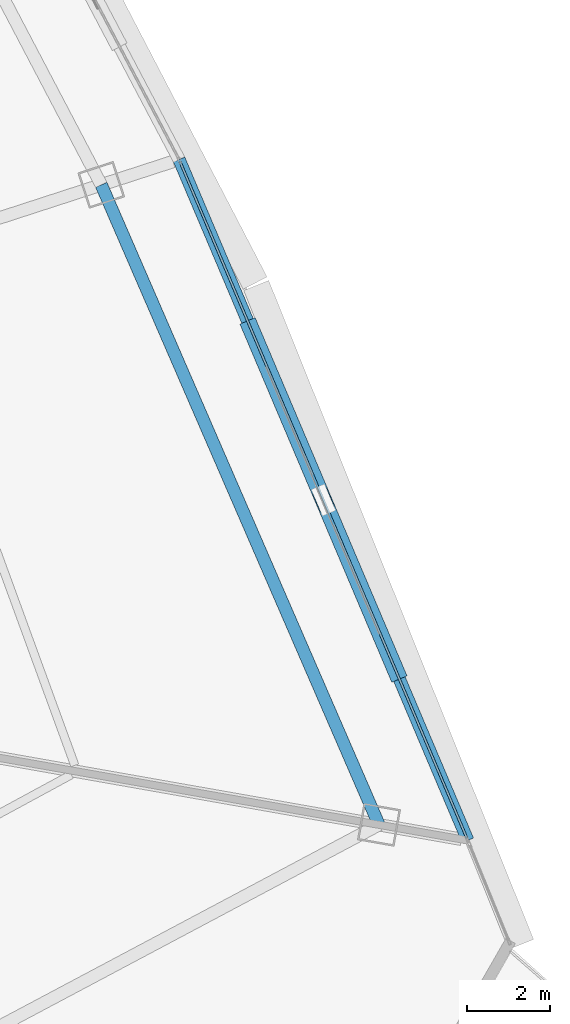
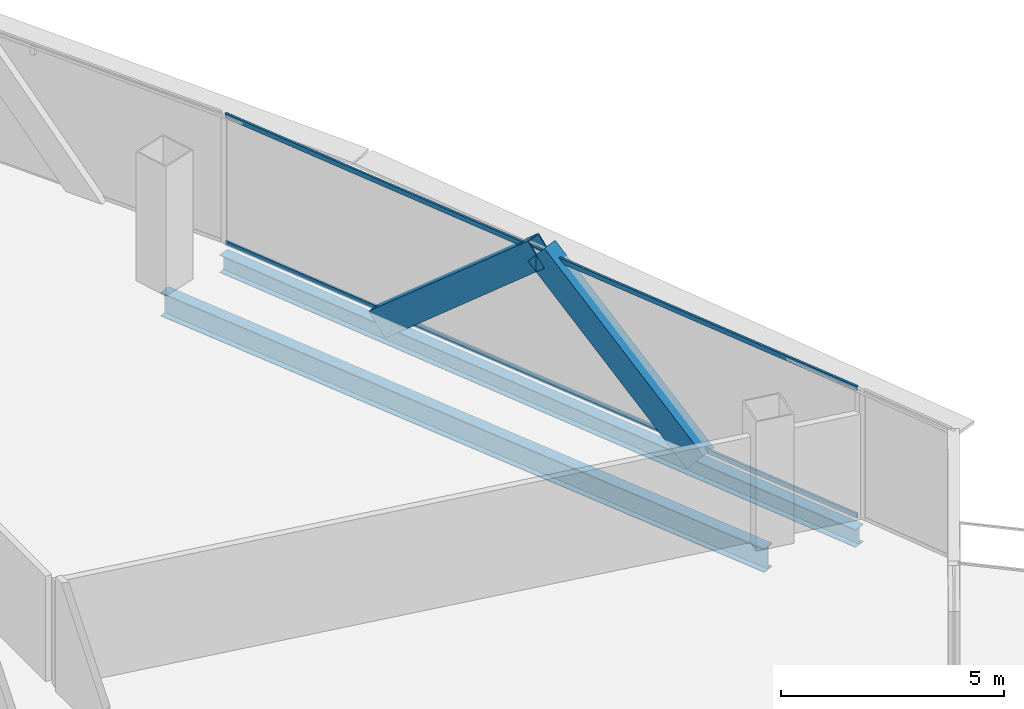
# One storey, part 25 of 37: 4 members, 2 beams, 1 element without a shape of its own.
"""IFC4 building model written with IfcOpenShell, lengths in metres."""

from ifc_helpers import new_model, si_unit, direction, frame, origin, origin_2d, place, context, subcontext, project, spatial, hollow_rectangle, i_section, extrude, source, transform, mapped, material, layer, layer_set, material_profile, profile_set, type_object, element, aggregate, save


model = new_model("IFC4")

# Units and contexts
model_context = context("Model", 3, precision=1e-05, world=origin(), true_north=direction((0.0, 1.0)))
body_context = subcontext(model_context, "Body", "Model", "MODEL_VIEW")
ifc_project = project(units=[si_unit("LENGTHUNIT", "METRE"), si_unit("AREAUNIT", "SQUARE_METRE"), si_unit("VOLUMEUNIT", "CUBIC_METRE"), si_unit("PLANEANGLEUNIT", "RADIAN"), si_unit("MASSUNIT", "GRAM", prefix="KILO"), si_unit("THERMODYNAMICTEMPERATUREUNIT", "KELVIN"), si_unit("POWERUNIT", "WATT")], contexts=[model_context])

# Site, building, storey
site_placement = place(None, origin())
site = spatial("IfcSite", under=ifc_project, at=site_placement, CompositionType="ELEMENT")
building_placement = place(site_placement, origin())
building = spatial("IfcBuilding", under=site, at=building_placement, Name="Yunzhuo Pagoda Commons", CompositionType="ELEMENT")
storey_placement = place(building_placement, frame((0.0, 0.0, 196.159912109375)))
storey = spatial("IfcBuildingStorey", under=building, at=storey_placement, Name="L49", CompositionType="ELEMENT", Elevation=196.159912109375)

# Beams
ifc_material_1 = material(Name="Structural steel Q355B", Category="steel")
ifc_material_profile_1 = material_profile(ifc_material_1, i_section(OverallWidth=0.300048828125, OverallDepth=0.64990234375, WebThickness=0.012939453125, FlangeThickness=0.02197265625, at=origin_2d()), Name="Structural steel Q355B")
ifc_profile_set_1 = profile_set([ifc_material_profile_1], Name="Structural steel Q355B")
beam_type_1 = type_object("IfcBeamType", Name="B-RG2 Beam HN 650x300x13x22", PredefinedType="BEAM", material=ifc_profile_set_1)
shared_shape_1 = source(origin(), body_context, "Body", "SweptSolid", [
    extrude(i_section(OverallWidth=0.300048828125, OverallDepth=0.64990234375, WebThickness=0.012939453125, FlangeThickness=0.02197265625, at=origin_2d()), origin(), (0.0, 0.0, 1.0), 16.859619140625),
])
beam_1_placement = place(storey_placement, frame((83.20654296875, 27.492431640625, -0.5849609375), z_axis=(-0.398104384161, 0.917340121935, 0.0), x_axis=(-0.917340121935, -0.398104384161, 0.0)))
element("IfcBeam", 1, at=beam_1_placement, inside=storey, type_object=beam_type_1, Name="L49 column-ring beam 5", PredefinedType="BEAM", context=body_context, shape_type="MappedRepresentation", body=[
    mapped(shared_shape_1, transform((0.0, 0.0, 0.0), scale=1.0)),
])
ifc_material_profile_2 = material_profile(ifc_material_1, i_section(OverallWidth=0.300048828125, OverallDepth=0.488037109375, WebThickness=0.010986328125, FlangeThickness=0.01806640625, at=origin_2d()), Name="Structural steel Q355B")
ifc_profile_set_2 = profile_set([ifc_material_profile_2], Name="Structural steel Q355B")
beam_type_2 = type_object("IfcBeamType", Name="B-SP1 Beam HM 488x300x11x18", PredefinedType="BEAM", material=ifc_profile_set_2)
shared_shape_2 = source(origin(), body_context, "Body", "SweptSolid", [
    extrude(i_section(OverallWidth=0.300048828125, OverallDepth=0.488037109375, WebThickness=0.010986328125, FlangeThickness=0.01806640625, at=origin_2d()), origin(), (0.0, 0.0, 1.0), 17.874267578125),
])
beam_2_placement = place(storey_placement, frame((85.353515625, 27.113525390625, -0.50390625), z_axis=(-0.390352355203, 0.920665541219, 0.0), x_axis=(-0.920665541219, -0.390352355203, 0.0)))
element("IfcBeam", 2, at=beam_2_placement, inside=storey, type_object=beam_type_2, Name="L49 facade edge spandrel beam F2.1", PredefinedType="BEAM", context=body_context, shape_type="MappedRepresentation", body=[
    mapped(shared_shape_2, transform((0.0, 0.0, 0.0), scale=1.0)),
])

# Members
ifc_material_profile_3 = material_profile(ifc_material_1, hollow_rectangle(XDim=0.39990234375, YDim=0.719970703125, WallThickness=0.02392578125, at=origin_2d()), Name="Structural steel Q355B")
ifc_profile_set_3 = profile_set([ifc_material_profile_3], Name="Structural steel Q355B")
member_type_1 = type_object("IfcMemberType", Name="M-DL2 Brace BOX 720x400x24", PredefinedType="BRACE", material=ifc_profile_set_3)
shared_shape_3 = source(origin(), body_context, "Body", "SweptSolid", [
    extrude(hollow_rectangle(XDim=0.39990234375, YDim=0.719970703125, WallThickness=0.02392578125, at=origin_2d()), origin(), (0.0, 0.0, 1.0), 5.865966796875),
])
for number, where, z_axis, x_axis, name in (
    (3, (83.609130859375, 31.227783203125, -0.260009765625), (-0.297379010703, 0.701348314816, 0.647824254947), (-0.920658551052, -0.39036884145, 0.0), "L49 facade diamond brace F2.1L"),
    (4, (80.120849609375, 39.4560546875, -0.260009765625), (0.297294449366, -0.701386820764, 0.647821378186), (0.920706141015, 0.390256584694, 0.0), "L49 facade diamond brace F2.1R"),
):
    element("IfcMember", number, at=place(storey_placement, frame(where, z_axis=z_axis, x_axis=x_axis)), inside=storey, type_object=member_type_1, Name=name, PredefinedType="BRACE", context=body_context, shape_type="MappedRepresentation", body=[
        mapped(shared_shape_3, transform((0.0, 0.0, 0.0), scale=1.0)),
    ])

# Curtain wall, members
ifc_material_2 = material(Name="Anodized aluminium 6063-T6", Category="aluminium")
ifc_layer = layer(ifc_material_2, 0.14990234375)
ifc_layer_set = layer_set([ifc_layer], Name="Anodized aluminium 6063-T6")
curtain_wall_type = type_object("IfcCurtainWallType", Name="CW-MID Mid-Zone Ribbon Curtain Wall", PredefinedType="NOTDEFINED", material=ifc_layer_set)
curtain_wall_placement = place(storey_placement, origin())
curtain_wall = element("IfcCurtainWall", 5, at=curtain_wall_placement, inside=storey, type_object=curtain_wall_type, Name="L49 curtain wall CW-L49-F2B2", PredefinedType="NOTDEFINED")
ifc_material_profile_4 = material_profile(ifc_material_2, hollow_rectangle(XDim=0.054931640625, YDim=0.1298828125, WallThickness=0.00341796875, at=origin_2d()), Name="Anodized aluminium 6063-T6")
ifc_profile_set_4 = profile_set([ifc_material_profile_4], Name="Anodized aluminium 6063-T6")
member_type_2 = type_object("IfcMemberType", Name="CW-MID-T Transom RHS 130x55x3.5", PredefinedType="USERDEFINED", material=ifc_profile_set_4)
shared_shape_4 = source(origin(), body_context, "Body", "SweptSolid", [
    extrude(hollow_rectangle(XDim=0.054931640625, YDim=0.1298828125, WallThickness=0.00341796875, at=origin_2d()), origin(), (0.0, 0.0, 1.0), 17.754150390625),
])
member_1_placement = place(storey_placement, frame((85.330078125, 27.1689453125, 0.027587890625), z_axis=(-0.39035313802, 0.920665209312, 0.0), x_axis=(-0.920665209312, -0.39035313802, 0.0)))
member_1 = element("IfcMember", 6, at=member_1_placement, type_object=member_type_2, Name="CW transom 1.1", ObjectType="TRANSOM", PredefinedType="USERDEFINED", context=body_context, shape_type="MappedRepresentation", body=[
    mapped(shared_shape_4, transform((0.0, 0.0, 0.0), scale=1.0)),
])
member_2_placement = place(storey_placement, frame((85.330078125, 27.1689453125, 3.5126953125), z_axis=(-0.39035313802, 0.920665209312, 0.0), x_axis=(-0.920665209312, -0.39035313802, 0.0)))
member_2 = element("IfcMember", 7, at=member_2_placement, type_object=member_type_2, Name="CW transom 1.2", ObjectType="TRANSOM", PredefinedType="USERDEFINED", context=body_context, shape_type="MappedRepresentation", body=[
    mapped(shared_shape_4, transform((0.0, 0.0, 0.0), scale=1.0)),
])
aggregate(curtain_wall, [member_1, member_2])

save(model, "model.ifc")
